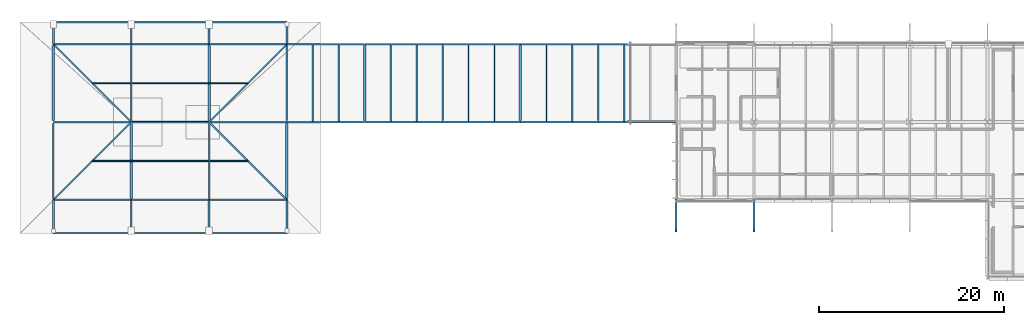
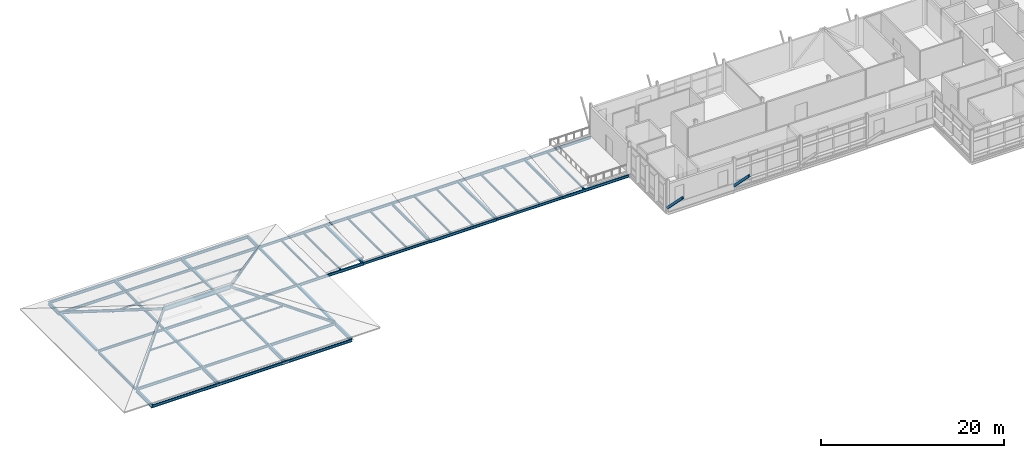
# One storey, part 5 of 35: 55 beams, 8 members.
"""IFC4 building model written with IfcOpenShell, lengths in metres."""

import ifcopenshell
import ifcopenshell.guid

model = None  # the IFC model being written
_history = None  # IfcOwnerHistory: only IFC2X3 demands one
_inside = {}  # id of a spatial element -> (the spatial element, [elements in it])
_under = {}  # id of a project, library or spatial element -> (it, [spatial elements below it])
_declared = {}  # id of a project -> (the project, [libraries it declares])
_typed = {}  # id of a type object -> (the type object, [elements of that type])
_made_of = {}  # id of a material, layer set ... -> (it, [elements and type objects made of it])


def new_model(schema):
    """Start an empty IFC model of exactly this schema.

    Asked for "IFC4X3", IfcOpenShell would pick the latest addendum, in which some entities
    have other attributes; the version numbers below select the first issue.
    IFC2X3 requires an IfcOwnerHistory on every rooted entity: one is made here for all.
    """
    global model, _history
    if schema == "IFC4X3":
        model = ifcopenshell.file(schema_version=(4, 3, 0, 0))
    else:
        model = ifcopenshell.file(schema=schema)
    _inside.clear()
    _under.clear()
    _declared.clear()
    _typed.clear()
    _made_of.clear()
    _history = None
    if model.schema == "IFC2X3":
        org = make("IfcOrganization", Name="unknown")
        user = make(
            "IfcPersonAndOrganization",
            ThePerson=make("IfcPerson", FamilyName="unknown"),
            TheOrganization=org,
        )
        app = make(
            "IfcApplication",
            ApplicationDeveloper=org,
            Version="unknown",
            ApplicationFullName="unknown",
            ApplicationIdentifier="unknown",
        )
        _history = make(
            "IfcOwnerHistory",
            OwningUser=user,
            OwningApplication=app,
            ChangeAction="ADDED",
            CreationDate=0,
        )
    return model


def make(cls, **values):
    """One entity of the class cls with the attributes given. An attribute that is None is left unset."""
    return model.create_entity(
        cls, **{name: value for name, value in values.items() if value is not None}
    )


def rooted(cls, **values):
    """An entity with a GlobalId (a new one), such as an element, a storey or a relation."""
    return make(cls, GlobalId=ifcopenshell.guid.new(), OwnerHistory=_history, **values)


def si_unit(unit_type, name, prefix=None):
    """IfcSIUnit, for example si_unit("LENGTHUNIT", "METRE", prefix="MILLI")."""
    return make("IfcSIUnit", UnitType=unit_type, Prefix=prefix, Name=name)


def assignment(units):
    """IfcUnitAssignment: the units of a project."""
    return None if units is None else make("IfcUnitAssignment", Units=units)


def point(xyz):
    """IfcCartesianPoint."""
    return None if xyz is None else make("IfcCartesianPoint", Coordinates=xyz)


def direction(xyz):
    """IfcDirection."""
    return None if xyz is None else make("IfcDirection", DirectionRatios=xyz)


def frame(location, z_axis=None, x_axis=None):
    """IfcAxis2Placement3D, a coordinate frame: its origin and axes. An axis left out is left unset."""
    return make(
        "IfcAxis2Placement3D",
        Location=point(location),
        Axis=direction(z_axis),
        RefDirection=direction(x_axis),
    )


def frame_2d(location, x_axis=None):
    """IfcAxis2Placement2D, a coordinate frame in the plane: its origin and x axis."""
    return make(
        "IfcAxis2Placement2D", Location=point(location), RefDirection=direction(x_axis)
    )


def origin():
    """The frame at (0, 0, 0) with its axes left unset."""
    return frame((0.0, 0.0, 0.0))


def origin_2d():
    """The frame at (0, 0) in the plane with its x axis left unset."""
    return frame_2d((0.0, 0.0))


def place(relative_to, where):
    """IfcLocalPlacement: puts the frame where relative to a parent placement (None: the world)."""
    return make(
        "IfcLocalPlacement", PlacementRelTo=relative_to, RelativePlacement=where
    )


def context(
    kind, dimensions, precision=None, world=None, true_north=None, identifier=None
):
    """IfcGeometricRepresentationContext, for example the 3D "Model" context."""
    return make(
        "IfcGeometricRepresentationContext",
        ContextIdentifier=identifier,
        ContextType=kind,
        CoordinateSpaceDimension=dimensions,
        Precision=precision,
        WorldCoordinateSystem=world,
        TrueNorth=true_north,
    )


def subcontext(parent, identifier, kind, view, scale=None):
    """IfcGeometricRepresentationSubContext, for example "Body" below "Model"."""
    return make(
        "IfcGeometricRepresentationSubContext",
        ContextIdentifier=identifier,
        ContextType=kind,
        ParentContext=parent,
        TargetScale=scale,
        TargetView=view,
    )


def project(units=None, contexts=None):
    """IfcProject with its units and contexts."""
    return rooted(
        "IfcProject",
        Name="project",
        RepresentationContexts=contexts,
        UnitsInContext=assignment(units),
    )


def spatial(cls, under=None, at=None, **own):
    """A site, building, storey or space (cls), placed at a placement, below another one or the project."""
    s = rooted(cls, ObjectPlacement=at, **own)
    if under is not None:
        _under.setdefault(under.id(), (under, []))[1].append(s)
    return s


def profile(cls, at=None, kind="AREA", **sizes):
    """A parametric profile (cls). Its sizes go by their IFC names, for example OverallWidth=200.0."""
    return make(cls, ProfileType=kind, Position=at, **sizes)


def hollow_rectangle(**sizes):
    """IfcRectangleHollowProfileDef."""
    return profile("IfcRectangleHollowProfileDef", **sizes)


def i_section(**sizes):
    """IfcIShapeProfileDef."""
    return profile("IfcIShapeProfileDef", **sizes)


def extrude(swept, where, along, depth):
    """IfcExtrudedAreaSolid: the profile swept, set in the frame where, extruded along a direction by depth."""
    return make(
        "IfcExtrudedAreaSolid",
        SweptArea=swept,
        Position=where,
        ExtrudedDirection=direction(along),
        Depth=depth,
    )


def shape(context_of_items, identifier, shape_type, items):
    """IfcShapeRepresentation: the items that make up one representation, for example the "Body"."""
    return make(
        "IfcShapeRepresentation",
        ContextOfItems=context_of_items,
        RepresentationIdentifier=identifier,
        RepresentationType=shape_type,
        Items=items,
    )


def material(Name=None, Category=None):
    """IfcMaterial."""
    return make("IfcMaterial", Name=Name, Category=Category)


def material_profile(
    of_material, cross_section, Name=None, Category=None, Priority=None
):
    """IfcMaterialProfile: a cross section and its material."""
    return make(
        "IfcMaterialProfile",
        Name=Name,
        Material=of_material,
        Profile=cross_section,
        Priority=Priority,
        Category=Category,
    )


def profile_set(profiles, Name=None, composite=None):
    """IfcMaterialProfileSet."""
    return make(
        "IfcMaterialProfileSet",
        Name=Name,
        MaterialProfiles=profiles,
        CompositeProfile=composite,
    )


def made_of(thing, what):
    """Note that an element or type object is made of a material, layer set ...; save() writes the relation."""
    if what is not None:
        _made_of.setdefault(what.id(), (what, []))[1].append(thing)
    return thing


def type_object(cls, material=None, **own):
    """A type object (cls), such as IfcWallType, which elements share."""
    return made_of(rooted(cls, **own), material)


def element(
    cls,
    number,
    at=None,
    inside=None,
    cuts=None,
    type_object=None,
    material=None,
    context=None,
    identifier="Body",
    shape_type=None,
    held_by="IfcProductDefinitionShape",
    body=None,
    shapes=None,
    **own,
):
    """One element of the class cls, such as IfcWall. Its Tag is "e" and its number.

    at: its placement. inside: the storey or other place that contains it. cuts: it is an
    opening in that element (IfcRelVoidsElement). A single representation is given by context,
    identifier, shape_type and body (its items); several are given by shapes. held_by: the class
    of the entity that holds the representations. save() writes the other relations.
    """
    e = rooted(cls, Tag="e%d" % number, ObjectPlacement=at, **own)
    if body is not None:
        shapes = [shape(context, identifier, shape_type, body)]
    if shapes is not None:
        e.Representation = make(held_by, Representations=shapes)
    if inside is not None:
        _inside.setdefault(inside.id(), (inside, []))[1].append(e)
    if cuts is not None:
        rooted(
            "IfcRelVoidsElement", RelatingBuildingElement=cuts, RelatedOpeningElement=e
        )
    if type_object is not None:
        _typed.setdefault(type_object.id(), (type_object, []))[1].append(e)
    return made_of(e, material)


def aggregate(whole, parts):
    """IfcRelAggregates: a whole, such as a stair, and the parts it consists of."""
    return rooted("IfcRelAggregates", RelatingObject=whole, RelatedObjects=parts)


def save(model, path):
    """Write the relations noted so far, then the file.

    IfcRelAggregates (storeys below a building ...), IfcRelContainedInSpatialStructure (elements
    in a storey), IfcRelDefinesByType, IfcRelAssociatesMaterial and IfcRelDeclares: one each for
    every whole, place, type object, material and project.
    """
    for whole, parts in _under.values():
        aggregate(whole, parts)
    for where, things in _inside.values():
        rooted(
            "IfcRelContainedInSpatialStructure",
            RelatedElements=things,
            RelatingStructure=where,
        )
    for kind, things in _typed.values():
        rooted("IfcRelDefinesByType", RelatedObjects=things, RelatingType=kind)
    for what, things in _made_of.values():
        rooted("IfcRelAssociatesMaterial", RelatedObjects=things, RelatingMaterial=what)
    for by, libraries in _declared.values():
        rooted("IfcRelDeclares", RelatingContext=by, RelatedDefinitions=libraries)
    model.write(path)


model = new_model("IFC4")

# Units and contexts
model_context = context("Model", 3, precision=1e-05, world=origin(), true_north=direction((0.0, 1.0)))
body_context = subcontext(model_context, "Body", "Model", "MODEL_VIEW")
ifc_project = project(units=[si_unit("LENGTHUNIT", "METRE"), si_unit("AREAUNIT", "SQUARE_METRE"), si_unit("VOLUMEUNIT", "CUBIC_METRE"), si_unit("PLANEANGLEUNIT", "RADIAN"), si_unit("MASSUNIT", "GRAM", prefix="KILO")], contexts=[model_context])

# Site, building, storey
site_placement = place(None, origin())
site = spatial("IfcSite", under=ifc_project, at=site_placement, CompositionType="ELEMENT")
building_placement = place(site_placement, origin())
building = spatial("IfcBuilding", under=site, at=building_placement, Name="Mersafa Astral City Hall", CompositionType="ELEMENT")
storey_placement = place(building_placement, frame((0.0, 0.0, 30.14990234375)))
storey = spatial("IfcBuildingStorey", under=building, at=storey_placement, Name="L07", CompositionType="ELEMENT", Elevation=30.14990234375)

# Beams
ifc_material = material(Name="Steel S355", Category="steel")
ifc_material_profile_1 = material_profile(ifc_material, i_section(OverallWidth=0.199951171875, OverallDepth=0.5, WebThickness=0.01025390625, FlangeThickness=0.01611328125, FilletRadius=0.02099609375, at=origin_2d()), Name="IPE 500")
ifc_profile_set_1 = profile_set([ifc_material_profile_1], Name="Steel S355")
beam_type_1 = type_object("IfcBeamType", Name="STR-BM-IPE500", PredefinedType="BEAM", material=ifc_profile_set_1)
beam_1_placement = place(storey_placement, frame((42.0, 109.199951171875, -0.409912109375), z_axis=(0.0, -1.0, 0.0), x_axis=(1.0, 0.0, 0.0)))
element("IfcBeam", 1, at=beam_1_placement, inside=storey, type_object=beam_type_1, Name="L07 Cantilevered eave beam ROOF-T5-V4N S-5", PredefinedType="BEAM", context=body_context, shape_type="SweptSolid", body=[
    extrude(i_section(OverallWidth=0.199951171875, OverallDepth=0.5, WebThickness=0.01025390625, FlangeThickness=0.01611328125, FilletRadius=0.02099609375, at=origin_2d()), origin(), (0.0, 0.0, 1.0), 3.599853515625),
])
beam_2_placement = place(storey_placement, frame((42.0, 126.0, -0.409912109375), z_axis=(0.0, 1.0, 0.0), x_axis=(-1.0, 0.0, 0.0)))
element("IfcBeam", 2, at=beam_2_placement, inside=storey, type_object=beam_type_1, Name="L07 Cantilevered eave beam ROOF-T5-V4N N-5", PredefinedType="BEAM", context=body_context, shape_type="SweptSolid", body=[
    extrude(i_section(OverallWidth=0.199951171875, OverallDepth=0.5, WebThickness=0.01025390625, FlangeThickness=0.01611328125, FilletRadius=0.02099609375, at=origin_2d()), origin(), (0.0, 0.0, 1.0), 2.39990234375),
])
beam_3_placement = place(storey_placement, frame((50.39990234375, 109.199951171875, -0.409912109375), z_axis=(0.0, -1.0, 0.0), x_axis=(1.0, 0.0, 0.0)))
element("IfcBeam", 3, at=beam_3_placement, inside=storey, type_object=beam_type_1, Name="L07 Cantilevered eave beam ROOF-T5-V4N S-6", PredefinedType="BEAM", context=body_context, shape_type="SweptSolid", body=[
    extrude(i_section(OverallWidth=0.199951171875, OverallDepth=0.5, WebThickness=0.01025390625, FlangeThickness=0.01611328125, FilletRadius=0.02099609375, at=origin_2d()), origin(), (0.0, 0.0, 1.0), 3.599853515625),
])
beam_4_placement = place(storey_placement, frame((50.39990234375, 126.0, -0.409912109375), z_axis=(0.0, 1.0, 0.0), x_axis=(-1.0, 0.0, 0.0)))
element("IfcBeam", 4, at=beam_4_placement, inside=storey, type_object=beam_type_1, Name="L07 Cantilevered eave beam ROOF-T5-V4N N-6", PredefinedType="BEAM", context=body_context, shape_type="SweptSolid", body=[
    extrude(i_section(OverallWidth=0.199951171875, OverallDepth=0.5, WebThickness=0.01025390625, FlangeThickness=0.01611328125, FilletRadius=0.02099609375, at=origin_2d()), origin(), (0.0, 0.0, 1.0), 2.39990234375),
])
beam_5_placement = place(storey_placement, frame((58.800048828125, 109.199951171875, -0.409912109375), z_axis=(0.0, -1.0, 0.0), x_axis=(1.0, 0.0, 0.0)))
element("IfcBeam", 5, at=beam_5_placement, inside=storey, type_object=beam_type_1, Name="L07 Cantilevered eave beam ROOF-T5-V4N S-7", PredefinedType="BEAM", context=body_context, shape_type="SweptSolid", body=[
    extrude(i_section(OverallWidth=0.199951171875, OverallDepth=0.5, WebThickness=0.01025390625, FlangeThickness=0.01611328125, FilletRadius=0.02099609375, at=origin_2d()), origin(), (0.0, 0.0, 1.0), 3.599853515625),
])
beam_6_placement = place(storey_placement, frame((58.800048828125, 126.0, -0.409912109375), z_axis=(0.0, 1.0, 0.0), x_axis=(-1.0, 0.0, 0.0)))
element("IfcBeam", 6, at=beam_6_placement, inside=storey, type_object=beam_type_1, Name="L07 Cantilevered eave beam ROOF-T5-V4N N-7", PredefinedType="BEAM", context=body_context, shape_type="SweptSolid", body=[
    extrude(i_section(OverallWidth=0.199951171875, OverallDepth=0.5, WebThickness=0.01025390625, FlangeThickness=0.01611328125, FilletRadius=0.02099609375, at=origin_2d()), origin(), (0.0, 0.0, 1.0), 2.39990234375),
])
beam_7_placement = place(storey_placement, frame((67.199951171875, 109.199951171875, -0.409912109375), z_axis=(0.0, -1.0, 0.0), x_axis=(1.0, 0.0, 0.0)))
element("IfcBeam", 7, at=beam_7_placement, inside=storey, type_object=beam_type_1, Name="L07 Cantilevered eave beam ROOF-T5-V4N S-8", PredefinedType="BEAM", context=body_context, shape_type="SweptSolid", body=[
    extrude(i_section(OverallWidth=0.199951171875, OverallDepth=0.5, WebThickness=0.01025390625, FlangeThickness=0.01611328125, FilletRadius=0.02099609375, at=origin_2d()), origin(), (0.0, 0.0, 1.0), 3.599853515625),
])
beam_8_placement = place(storey_placement, frame((67.199951171875, 126.0, -0.409912109375), z_axis=(0.0, 1.0, 0.0), x_axis=(-1.0, 0.0, 0.0)))
element("IfcBeam", 8, at=beam_8_placement, inside=storey, type_object=beam_type_1, Name="L07 Cantilevered eave beam ROOF-T5-V4N N-8", PredefinedType="BEAM", context=body_context, shape_type="SweptSolid", body=[
    extrude(i_section(OverallWidth=0.199951171875, OverallDepth=0.5, WebThickness=0.01025390625, FlangeThickness=0.01611328125, FilletRadius=0.02099609375, at=origin_2d()), origin(), (0.0, 0.0, 1.0), 2.39990234375),
])
ifc_material_profile_2 = material_profile(ifc_material, i_section(OverallWidth=0.219970703125, OverallDepth=0.60009765625, WebThickness=0.011962890625, FlangeThickness=0.01904296875, FilletRadius=0.02392578125, at=origin_2d()), Name="IPE 600")
ifc_profile_set_2 = profile_set([ifc_material_profile_2], Name="Steel S355")
beam_type_2 = type_object("IfcBeamType", Name="STR-BM-IPE600", PredefinedType="BEAM", material=ifc_profile_set_2)
beam_9_placement = place(storey_placement, frame((50.39990234375, 117.60009765625, 2.410888671875), z_axis=(1.0, 0.0, 0.0), x_axis=(0.0, 1.0, 0.0)))
element("IfcBeam", 9, at=beam_9_placement, inside=storey, type_object=beam_type_2, Name="L07 Hipped roof ridge beam ROOF-T5-V4N-1", PredefinedType="BEAM", context=body_context, shape_type="SweptSolid", body=[
    extrude(i_section(OverallWidth=0.219970703125, OverallDepth=0.60009765625, WebThickness=0.011962890625, FlangeThickness=0.01904296875, FilletRadius=0.02392578125, at=origin_2d()), origin(), (0.0, 0.0, 1.0), 8.400146484375),
])
ifc_material_profile_3 = material_profile(ifc_material, i_section(OverallWidth=0.135009765625, OverallDepth=0.27001953125, WebThickness=0.006591796875, FlangeThickness=0.01025390625, FilletRadius=0.014892578125, at=origin_2d()), Name="IPE 270")
ifc_profile_set_3 = profile_set([ifc_material_profile_3], Name="Steel S355")
beam_type_3 = type_object("IfcBeamType", Name="STR-BM-JOIST-IPE270", PredefinedType="JOIST", material=ifc_profile_set_3)
for number, where, z_axis, x_axis, name in (
    (10, (70.0, 117.679931640625, -0.3349609375), (0.0, 1.0, 0.0), (-1.0, 0.0, 0.0), "L07 Flat roof secondary joist 1"),
    (11, (72.800048828125, 117.679931640625, -0.3349609375), (0.0, 1.0, 0.0), (-1.0, 0.0, 0.0), "L07 Flat roof secondary joist 2"),
):
    element("IfcBeam", number, at=place(storey_placement, frame(where, z_axis=z_axis, x_axis=x_axis)), inside=storey, type_object=beam_type_3, Name=name, PredefinedType="JOIST", context=body_context, shape_type="SweptSolid", body=[
        extrude(i_section(OverallWidth=0.135009765625, OverallDepth=0.27001953125, WebThickness=0.006591796875, FlangeThickness=0.01025390625, FilletRadius=0.014892578125, at=origin_2d()), origin(), (0.0, 0.0, 1.0), 8.2451171875),
    ])
for number, where, z_axis, x_axis, name in (
    (12, (78.39990234375, 117.675048828125, -0.3349609375), (0.0, 1.0, 0.0), (-1.0, 0.0, 0.0), "L07 Flat roof secondary joist 3"),
    (13, (81.199951171875, 117.675048828125, -0.3349609375), (0.0, 1.0, 0.0), (-1.0, 0.0, 0.0), "L07 Flat roof secondary joist 4"),
):
    element("IfcBeam", number, at=place(storey_placement, frame(where, z_axis=z_axis, x_axis=x_axis)), inside=storey, type_object=beam_type_3, Name=name, PredefinedType="JOIST", context=body_context, shape_type="SweptSolid", body=[
        extrude(i_section(OverallWidth=0.135009765625, OverallDepth=0.27001953125, WebThickness=0.006591796875, FlangeThickness=0.01025390625, FilletRadius=0.014892578125, at=origin_2d()), origin(), (0.0, 0.0, 1.0), 8.244873046875),
    ])
for number, where, z_axis, x_axis, name in (
    (14, (86.800048828125, 117.679931640625, -0.3349609375), (0.0, 1.0, 0.0), (-1.0, 0.0, 0.0), "L07 Flat roof secondary joist 5"),
    (15, (89.60009765625, 117.679931640625, -0.3349609375), (0.0, 1.0, 0.0), (-1.0, 0.0, 0.0), "L07 Flat roof secondary joist 6"),
):
    element("IfcBeam", number, at=place(storey_placement, frame(where, z_axis=z_axis, x_axis=x_axis)), inside=storey, type_object=beam_type_3, Name=name, PredefinedType="JOIST", context=body_context, shape_type="SweptSolid", body=[
        extrude(i_section(OverallWidth=0.135009765625, OverallDepth=0.27001953125, WebThickness=0.006591796875, FlangeThickness=0.01025390625, FilletRadius=0.014892578125, at=origin_2d()), origin(), (0.0, 0.0, 1.0), 8.2451171875),
    ])
for number, where, z_axis, x_axis, name in (
    (16, (95.199951171875, 117.675048828125, -0.3349609375), (0.0, 1.0, 0.0), (-1.0, 0.0, 0.0), "L07 Flat roof secondary joist 7"),
    (17, (98.0, 117.675048828125, -0.3349609375), (0.0, 1.0, 0.0), (-1.0, 0.0, 0.0), "L07 Flat roof secondary joist 8"),
):
    element("IfcBeam", number, at=place(storey_placement, frame(where, z_axis=z_axis, x_axis=x_axis)), inside=storey, type_object=beam_type_3, Name=name, PredefinedType="JOIST", context=body_context, shape_type="SweptSolid", body=[
        extrude(i_section(OverallWidth=0.135009765625, OverallDepth=0.27001953125, WebThickness=0.006591796875, FlangeThickness=0.01025390625, FilletRadius=0.014892578125, at=origin_2d()), origin(), (0.0, 0.0, 1.0), 8.244873046875),
    ])
beam_10_placement = place(storey_placement, frame((103.60009765625, 117.679931640625, -0.3349609375), z_axis=(0.0, 1.0, 0.0), x_axis=(-1.0, 0.0, 0.0)))
element("IfcBeam", 18, at=beam_10_placement, inside=storey, type_object=beam_type_3, Name="L07 Flat roof secondary joist 9", PredefinedType="JOIST", context=body_context, shape_type="SweptSolid", body=[
    extrude(i_section(OverallWidth=0.135009765625, OverallDepth=0.27001953125, WebThickness=0.006591796875, FlangeThickness=0.01025390625, FilletRadius=0.014892578125, at=origin_2d()), origin(), (0.0, 0.0, 1.0), 8.2451171875),
])
ifc_material_profile_4 = material_profile(ifc_material, i_section(OverallWidth=0.280029296875, OverallDepth=0.27001953125, WebThickness=0.008056640625, FlangeThickness=0.012939453125, FilletRadius=0.02392578125, at=origin_2d()), Name="HEA 280")
ifc_profile_set_4 = profile_set([ifc_material_profile_4], Name="Steel S355")
beam_type_4 = type_object("IfcBeamType", Name="STR-BM-SPANDREL-HEA280", PredefinedType="SPANDREL", material=ifc_profile_set_4)
beam_11_placement = place(storey_placement, frame((42.0, 117.7451171875, -0.309814453125), z_axis=(0.0, 1.0, 0.0), x_axis=(-1.0, 0.0, 0.0)))
element("IfcBeam", 19, at=beam_11_placement, inside=storey, type_object=beam_type_4, Name="L07 Primary girder Y 5-14", PredefinedType="SPANDREL", context=body_context, shape_type="SweptSolid", body=[
    extrude(i_section(OverallWidth=0.280029296875, OverallDepth=0.27001953125, WebThickness=0.008056640625, FlangeThickness=0.012939453125, FilletRadius=0.02392578125, at=origin_2d()), origin(), (0.0, 0.0, 1.0), 8.10986328125),
])
beam_12_placement = place(storey_placement, frame((50.39990234375, 109.344970703125, -0.309814453125), z_axis=(0.0, 1.0, 0.0), x_axis=(-1.0, 0.0, 0.0)))
element("IfcBeam", 20, at=beam_12_placement, inside=storey, type_object=beam_type_4, Name="L07 Primary girder Y 6-13", PredefinedType="SPANDREL", context=body_context, shape_type="SweptSolid", body=[
    extrude(i_section(OverallWidth=0.280029296875, OverallDepth=0.27001953125, WebThickness=0.008056640625, FlangeThickness=0.012939453125, FilletRadius=0.02392578125, at=origin_2d()), origin(), (0.0, 0.0, 1.0), 8.110107421875),
])
beam_13_placement = place(storey_placement, frame((58.800048828125, 117.7451171875, -0.309814453125), z_axis=(0.0, 1.0, 0.0), x_axis=(-1.0, 0.0, 0.0)))
element("IfcBeam", 21, at=beam_13_placement, inside=storey, type_object=beam_type_4, Name="L07 Primary girder Y 7-14", PredefinedType="SPANDREL", context=body_context, shape_type="SweptSolid", body=[
    extrude(i_section(OverallWidth=0.280029296875, OverallDepth=0.27001953125, WebThickness=0.008056640625, FlangeThickness=0.012939453125, FilletRadius=0.02392578125, at=origin_2d()), origin(), (0.0, 0.0, 1.0), 8.10986328125),
])
beam_14_placement = place(storey_placement, frame((67.199951171875, 109.344970703125, -0.309814453125), z_axis=(0.0, 1.0, 0.0), x_axis=(-1.0, 0.0, 0.0)))
element("IfcBeam", 22, at=beam_14_placement, inside=storey, type_object=beam_type_4, Name="L07 Primary girder Y 8-13", PredefinedType="SPANDREL", context=body_context, shape_type="SweptSolid", body=[
    extrude(i_section(OverallWidth=0.280029296875, OverallDepth=0.27001953125, WebThickness=0.008056640625, FlangeThickness=0.012939453125, FilletRadius=0.02392578125, at=origin_2d()), origin(), (0.0, 0.0, 1.0), 8.110107421875),
])
for number, where, z_axis, x_axis, name in (
    (23, (75.60009765625, 117.7451171875, -0.3349609375), (0.0, 1.0, 0.0), (-1.0, 0.0, 0.0), "L07 Primary girder Y 9-14"),
    (24, (92.39990234375, 117.7451171875, -0.3349609375), (0.0, 1.0, 0.0), (-1.0, 0.0, 0.0), "L07 Primary girder Y 11-14"),
):
    element("IfcBeam", number, at=place(storey_placement, frame(where, z_axis=z_axis, x_axis=x_axis)), inside=storey, type_object=beam_type_4, Name=name, PredefinedType="SPANDREL", context=body_context, shape_type="SweptSolid", body=[
        extrude(i_section(OverallWidth=0.280029296875, OverallDepth=0.27001953125, WebThickness=0.008056640625, FlangeThickness=0.012939453125, FilletRadius=0.02392578125, at=origin_2d()), origin(), (0.0, 0.0, 1.0), 8.10986328125),
    ])
ifc_material_profile_5 = material_profile(ifc_material, i_section(OverallWidth=0.159912109375, OverallDepth=0.330078125, WebThickness=0.007568359375, FlangeThickness=0.011474609375, FilletRadius=0.01806640625, at=origin_2d()), Name="IPE 330")
ifc_profile_set_5 = profile_set([ifc_material_profile_5], Name="Steel S355")
beam_type_5 = type_object("IfcBeamType", Name="STR-BM-SPANDREL-IPE330", PredefinedType="SPANDREL", material=ifc_profile_set_5)
for number, where, z_axis, x_axis, name in (
    (25, (50.403076171875, 109.199951171875, -0.33984375), (1.0, 0.0, 0.0), (0.0, 1.0, 0.0), "L07 Primary girder X 6-13"),
    (26, (42.0029296875, 117.60009765625, -0.33984375), (1.0, 0.0, 0.0), (0.0, 1.0, 0.0), "L07 Primary girder X 5-14"),
    (27, (58.802978515625, 117.60009765625, -0.33984375), (1.0, 0.0, 0.0), (0.0, 1.0, 0.0), "L07 Primary girder X 7-14"),
    (28, (75.60302734375, 117.60009765625, -0.364990234375), (1.0, 0.0, 0.0), (0.0, 1.0, 0.0), "L07 Primary girder X 9-14"),
    (29, (92.403076171875, 117.60009765625, -0.364990234375), (1.0, 0.0, 0.0), (0.0, 1.0, 0.0), "L07 Primary girder X 11-14"),
    (30, (50.403076171875, 126.0, -0.33984375), (1.0, 0.0, 0.0), (0.0, 1.0, 0.0), "L07 Primary girder X 6-15"),
    (31, (67.202880859375, 126.0, -0.364990234375), (1.0, 0.0, 0.0), (0.0, 1.0, 0.0), "L07 Primary girder X 8-15"),
    (32, (84.0029296875, 126.0, -0.364990234375), (1.0, 0.0, 0.0), (0.0, 1.0, 0.0), "L07 Primary girder X 10-15"),
    (33, (100.802978515625, 126.0, -0.364990234375), (1.0, 0.0, 0.0), (0.0, 1.0, 0.0), "L07 Primary girder X 12-15"),
):
    element("IfcBeam", number, at=place(storey_placement, frame(where, z_axis=z_axis, x_axis=x_axis)), inside=storey, type_object=beam_type_5, Name=name, PredefinedType="SPANDREL", context=body_context, shape_type="SweptSolid", body=[
        extrude(i_section(OverallWidth=0.159912109375, OverallDepth=0.330078125, WebThickness=0.007568359375, FlangeThickness=0.011474609375, FilletRadius=0.01806640625, at=origin_2d()), origin(), (0.0, 0.0, 1.0), 8.39404296875),
    ])
ifc_material_profile_6 = material_profile(ifc_material, i_section(OverallWidth=0.169921875, OverallDepth=0.360107421875, WebThickness=0.008056640625, FlangeThickness=0.0126953125, FilletRadius=0.01806640625, at=origin_2d()), Name="IPE 360")
ifc_profile_set_6 = profile_set([ifc_material_profile_6], Name="Steel S355")
beam_type_6 = type_object("IfcBeamType", Name="STR-BM-SPANDREL-IPE360", PredefinedType="SPANDREL", material=ifc_profile_set_6)
for number, where, z_axis, x_axis, name in (
    (34, (42.0029296875, 109.199951171875, -0.35498046875), (1.0, 0.0, 0.0), (0.0, 1.0, 0.0), "L07 Primary girder X 5-13"),
    (35, (58.802978515625, 109.199951171875, -0.35498046875), (1.0, 0.0, 0.0), (0.0, 1.0, 0.0), "L07 Primary girder X 7-13"),
    (36, (50.403076171875, 117.60009765625, -0.35498046875), (1.0, 0.0, 0.0), (0.0, 1.0, 0.0), "L07 Primary girder X 6-14"),
    (37, (67.202880859375, 117.60009765625, -0.3798828125), (1.0, 0.0, 0.0), (0.0, 1.0, 0.0), "L07 Primary girder X 8-14"),
    (38, (84.0029296875, 117.60009765625, -0.3798828125), (1.0, 0.0, 0.0), (0.0, 1.0, 0.0), "L07 Primary girder X 10-14"),
    (39, (100.802978515625, 117.60009765625, -0.3798828125), (1.0, 0.0, 0.0), (0.0, 1.0, 0.0), "L07 Primary girder X 12-14"),
    (40, (42.0029296875, 126.0, -0.35498046875), (1.0, 0.0, 0.0), (0.0, 1.0, 0.0), "L07 Primary girder X 5-15"),
    (41, (58.802978515625, 126.0, -0.35498046875), (1.0, 0.0, 0.0), (0.0, 1.0, 0.0), "L07 Primary girder X 7-15"),
    (42, (75.60302734375, 126.0, -0.3798828125), (1.0, 0.0, 0.0), (0.0, 1.0, 0.0), "L07 Primary girder X 9-15"),
    (43, (92.403076171875, 126.0, -0.3798828125), (1.0, 0.0, 0.0), (0.0, 1.0, 0.0), "L07 Primary girder X 11-15"),
):
    element("IfcBeam", number, at=place(storey_placement, frame(where, z_axis=z_axis, x_axis=x_axis)), inside=storey, type_object=beam_type_6, Name=name, PredefinedType="SPANDREL", context=body_context, shape_type="SweptSolid", body=[
        extrude(i_section(OverallWidth=0.169921875, OverallDepth=0.360107421875, WebThickness=0.008056640625, FlangeThickness=0.0126953125, FilletRadius=0.01806640625, at=origin_2d()), origin(), (0.0, 0.0, 1.0), 8.39404296875),
    ])
beam_15_placement = place(storey_placement, frame((42.0, 109.344970703125, -0.35498046875), z_axis=(0.0, 1.0, 0.0), x_axis=(-1.0, 0.0, 0.0)))
element("IfcBeam", 44, at=beam_15_placement, inside=storey, type_object=beam_type_6, Name="L07 Primary girder Y 5-13", PredefinedType="SPANDREL", context=body_context, shape_type="SweptSolid", body=[
    extrude(i_section(OverallWidth=0.169921875, OverallDepth=0.360107421875, WebThickness=0.008056640625, FlangeThickness=0.0126953125, FilletRadius=0.01806640625, at=origin_2d()), origin(), (0.0, 0.0, 1.0), 8.110107421875),
])
beam_16_placement = place(storey_placement, frame((50.39990234375, 117.7451171875, -0.35498046875), z_axis=(0.0, 1.0, 0.0), x_axis=(-1.0, 0.0, 0.0)))
element("IfcBeam", 45, at=beam_16_placement, inside=storey, type_object=beam_type_6, Name="L07 Primary girder Y 6-14", PredefinedType="SPANDREL", context=body_context, shape_type="SweptSolid", body=[
    extrude(i_section(OverallWidth=0.169921875, OverallDepth=0.360107421875, WebThickness=0.008056640625, FlangeThickness=0.0126953125, FilletRadius=0.01806640625, at=origin_2d()), origin(), (0.0, 0.0, 1.0), 8.10986328125),
])
beam_17_placement = place(storey_placement, frame((58.800048828125, 109.344970703125, -0.35498046875), z_axis=(0.0, 1.0, 0.0), x_axis=(-1.0, 0.0, 0.0)))
element("IfcBeam", 46, at=beam_17_placement, inside=storey, type_object=beam_type_6, Name="L07 Primary girder Y 7-13", PredefinedType="SPANDREL", context=body_context, shape_type="SweptSolid", body=[
    extrude(i_section(OverallWidth=0.169921875, OverallDepth=0.360107421875, WebThickness=0.008056640625, FlangeThickness=0.0126953125, FilletRadius=0.01806640625, at=origin_2d()), origin(), (0.0, 0.0, 1.0), 8.110107421875),
])
for number, where, z_axis, x_axis, name in (
    (47, (67.199951171875, 117.7451171875, -0.3798828125), (0.0, 1.0, 0.0), (-1.0, 0.0, 0.0), "L07 Primary girder Y 8-14"),
    (48, (84.0, 117.7451171875, -0.3798828125), (0.0, 1.0, 0.0), (-1.0, 0.0, 0.0), "L07 Primary girder Y 10-14"),
    (49, (100.800048828125, 117.7451171875, -0.3798828125), (0.0, 1.0, 0.0), (-1.0, 0.0, 0.0), "L07 Primary girder Y 12-14"),
):
    element("IfcBeam", number, at=place(storey_placement, frame(where, z_axis=z_axis, x_axis=x_axis)), inside=storey, type_object=beam_type_6, Name=name, PredefinedType="SPANDREL", context=body_context, shape_type="SweptSolid", body=[
        extrude(i_section(OverallWidth=0.169921875, OverallDepth=0.360107421875, WebThickness=0.008056640625, FlangeThickness=0.0126953125, FilletRadius=0.01806640625, at=origin_2d()), origin(), (0.0, 0.0, 1.0), 8.10986328125),
    ])
beam_18_placement = place(storey_placement, frame((42.0, 105.60009765625, -0.409912109375), z_axis=(1.0, 0.0, 0.0), x_axis=(0.0, 1.0, 0.0)))
element("IfcBeam", 50, at=beam_18_placement, inside=storey, type_object=beam_type_6, Name="L07 Hipped roof eave fascia beam ROOF-T5-V4N S-1", PredefinedType="SPANDREL", context=body_context, shape_type="SweptSolid", body=[
    extrude(i_section(OverallWidth=0.169921875, OverallDepth=0.360107421875, WebThickness=0.008056640625, FlangeThickness=0.0126953125, FilletRadius=0.01806640625, at=origin_2d()), origin(), (0.0, 0.0, 1.0), 8.39990234375),
])
beam_19_placement = place(storey_placement, frame((50.39990234375, 105.60009765625, -0.409912109375), z_axis=(1.0, 0.0, 0.0), x_axis=(0.0, 1.0, 0.0)))
element("IfcBeam", 51, at=beam_19_placement, inside=storey, type_object=beam_type_6, Name="L07 Hipped roof eave fascia beam ROOF-T5-V4N S-2", PredefinedType="SPANDREL", context=body_context, shape_type="SweptSolid", body=[
    extrude(i_section(OverallWidth=0.169921875, OverallDepth=0.360107421875, WebThickness=0.008056640625, FlangeThickness=0.0126953125, FilletRadius=0.01806640625, at=origin_2d()), origin(), (0.0, 0.0, 1.0), 8.400146484375),
])
for number, where, z_axis, x_axis, name in (
    (52, (58.800048828125, 105.60009765625, -0.409912109375), (1.0, 0.0, 0.0), (0.0, 1.0, 0.0), "L07 Hipped roof eave fascia beam ROOF-T5-V4N S-3"),
    (53, (42.0, 128.39990234375, -0.409912109375), (1.0, 0.0, 0.0), (0.0, 1.0, 0.0), "L07 Hipped roof eave fascia beam ROOF-T5-V4N N-1"),
):
    element("IfcBeam", number, at=place(storey_placement, frame(where, z_axis=z_axis, x_axis=x_axis)), inside=storey, type_object=beam_type_6, Name=name, PredefinedType="SPANDREL", context=body_context, shape_type="SweptSolid", body=[
        extrude(i_section(OverallWidth=0.169921875, OverallDepth=0.360107421875, WebThickness=0.008056640625, FlangeThickness=0.0126953125, FilletRadius=0.01806640625, at=origin_2d()), origin(), (0.0, 0.0, 1.0), 8.39990234375),
    ])
beam_20_placement = place(storey_placement, frame((50.39990234375, 128.39990234375, -0.409912109375), z_axis=(1.0, 0.0, 0.0), x_axis=(0.0, 1.0, 0.0)))
element("IfcBeam", 54, at=beam_20_placement, inside=storey, type_object=beam_type_6, Name="L07 Hipped roof eave fascia beam ROOF-T5-V4N N-2", PredefinedType="SPANDREL", context=body_context, shape_type="SweptSolid", body=[
    extrude(i_section(OverallWidth=0.169921875, OverallDepth=0.360107421875, WebThickness=0.008056640625, FlangeThickness=0.0126953125, FilletRadius=0.01806640625, at=origin_2d()), origin(), (0.0, 0.0, 1.0), 8.400146484375),
])
beam_21_placement = place(storey_placement, frame((58.800048828125, 128.39990234375, -0.409912109375), z_axis=(1.0, 0.0, 0.0), x_axis=(0.0, 1.0, 0.0)))
element("IfcBeam", 55, at=beam_21_placement, inside=storey, type_object=beam_type_6, Name="L07 Hipped roof eave fascia beam ROOF-T5-V4N N-3", PredefinedType="SPANDREL", context=body_context, shape_type="SweptSolid", body=[
    extrude(i_section(OverallWidth=0.169921875, OverallDepth=0.360107421875, WebThickness=0.008056640625, FlangeThickness=0.0126953125, FilletRadius=0.01806640625, at=origin_2d()), origin(), (0.0, 0.0, 1.0), 8.39990234375),
])

# Members
ifc_material_profile_7 = material_profile(ifc_material, i_section(OverallWidth=0.10009765625, OverallDepth=0.199951171875, WebThickness=0.005615234375, FlangeThickness=0.008544921875, FilletRadius=0.011962890625, at=origin_2d()), Name="IPE 200")
ifc_profile_set_7 = profile_set([ifc_material_profile_7], Name="Steel S355")
member_type_1 = type_object("IfcMemberType", Name="STR-MBR-PURLIN-IPE200", PredefinedType="PURLIN", material=ifc_profile_set_7)
member_1_placement = place(storey_placement, frame((46.199951171875, 121.800048828125, 0.880615234375), z_axis=(1.0, 0.0, 0.0), x_axis=(0.0, 1.0, 0.0)))
element("IfcMember", 56, at=member_1_placement, inside=storey, type_object=member_type_1, Name="L07 Terracotta roof purlin ROOF-T5-V4N-N", PredefinedType="PURLIN", context=body_context, shape_type="SweptSolid", body=[
    extrude(i_section(OverallWidth=0.10009765625, OverallDepth=0.199951171875, WebThickness=0.005615234375, FlangeThickness=0.008544921875, FilletRadius=0.011962890625, at=origin_2d()), origin(), (0.0, 0.0, 1.0), 16.800048828125),
])
ifc_material_profile_8 = material_profile(ifc_material, i_section(OverallWidth=0.110107421875, OverallDepth=0.219970703125, WebThickness=0.005859375, FlangeThickness=0.00927734375, FilletRadius=0.011962890625, at=origin_2d()), Name="IPE 220")
ifc_profile_set_8 = profile_set([ifc_material_profile_8], Name="Steel S355")
member_type_2 = type_object("IfcMemberType", Name="STR-MBR-PURLIN-IPE220", PredefinedType="PURLIN", material=ifc_profile_set_8)
member_2_placement = place(storey_placement, frame((46.199951171875, 113.39990234375, 0.880615234375), z_axis=(1.0, 0.0, 0.0), x_axis=(0.0, 1.0, 0.0)))
element("IfcMember", 57, at=member_2_placement, inside=storey, type_object=member_type_2, Name="L07 Terracotta roof purlin ROOF-T5-V4N-S", PredefinedType="PURLIN", context=body_context, shape_type="SweptSolid", body=[
    extrude(i_section(OverallWidth=0.110107421875, OverallDepth=0.219970703125, WebThickness=0.005859375, FlangeThickness=0.00927734375, FilletRadius=0.011962890625, at=origin_2d()), origin(), (0.0, 0.0, 1.0), 16.800048828125),
])
ifc_material_profile_9 = material_profile(ifc_material, i_section(OverallWidth=0.159912109375, OverallDepth=0.330078125, WebThickness=0.007568359375, FlangeThickness=0.011474609375, FilletRadius=0.01806640625, at=origin_2d()), Name="IPE 330")
ifc_profile_set_9 = profile_set([ifc_material_profile_9], Name="Steel S355")
member_type_3 = type_object("IfcMemberType", Name="STR-MBR-RAFTER-IPE330", PredefinedType="RAFTER", material=ifc_profile_set_9)
for number, where, z_axis, x_axis, name in (
    (58, (42.0, 109.199951171875, -0.25), (0.68999898497, 0.690019039582, 0.218575217613), (-0.707117056885, 0.707096505339, 0.0), "L07 Hipped roof corner hip rafter ROOF-T5-V4N-1"),
    (59, (67.199951171875, 109.199951171875, -0.25), (-0.68999898497, 0.690019039582, 0.218575217613), (-0.707117056885, -0.707096505339, 0.0), "L07 Hipped roof corner hip rafter ROOF-T5-V4N-2"),
):
    element("IfcMember", number, at=place(storey_placement, frame(where, z_axis=z_axis, x_axis=x_axis)), inside=storey, type_object=member_type_3, Name=name, PredefinedType="RAFTER", context=body_context, shape_type="SweptSolid", body=[
        extrude(i_section(OverallWidth=0.159912109375, OverallDepth=0.330078125, WebThickness=0.007568359375, FlangeThickness=0.011474609375, FilletRadius=0.01806640625, at=origin_2d()), origin(), (0.0, 0.0, 1.0), 12.173828125),
    ])
for number, where, z_axis, x_axis, name in (
    (60, (67.199951171875, 126.0, -0.25), (-0.69000853328, -0.69000853328, 0.21857824229), (0.707106781187, -0.707106781187, 0.0), "L07 Hipped roof corner hip rafter ROOF-T5-V4N-3"),
    (61, (42.0, 126.0, -0.25), (0.69000853328, -0.69000853328, 0.21857824229), (0.707106781187, 0.707106781187, 0.0), "L07 Hipped roof corner hip rafter ROOF-T5-V4N-4"),
):
    element("IfcMember", number, at=place(storey_placement, frame(where, z_axis=z_axis, x_axis=x_axis)), inside=storey, type_object=member_type_3, Name=name, PredefinedType="RAFTER", context=body_context, shape_type="SweptSolid", body=[
        extrude(i_section(OverallWidth=0.159912109375, OverallDepth=0.330078125, WebThickness=0.007568359375, FlangeThickness=0.011474609375, FilletRadius=0.01806640625, at=origin_2d()), origin(), (0.0, 0.0, 1.0), 12.173583984375),
    ])
ifc_material_profile_10 = material_profile(ifc_material, hollow_rectangle(XDim=0.199951171875, YDim=0.300048828125, WallThickness=0.012451171875, at=origin_2d()), Name="RHS 200x300x12.5")
ifc_profile_set_10 = profile_set([ifc_material_profile_10], Name="Steel S355")
member_type_4 = type_object("IfcMemberType", Name="STR-MBR-STRUT-RHS200X300", PredefinedType="BRACE", material=ifc_profile_set_10)
for number, where, z_axis, x_axis, name in (
    (62, (109.199951171875, 109.199951171875, 0.400146484375), (0.0, -0.702893642121, 0.711294965444), (1.0, 0.0, 0.0), "L07 Raked cosmic eave strut ROOF-T6-V6 S-13"),
    (63, (117.60009765625, 109.199951171875, 0.400146484375), (0.0, -0.702893642121, 0.711294965444), (1.0, 0.0, 0.0), "L07 Raked cosmic eave strut ROOF-T6-V6 S-14"),
):
    element("IfcMember", number, at=place(storey_placement, frame(where, z_axis=z_axis, x_axis=x_axis)), inside=storey, type_object=member_type_4, Name=name, PredefinedType="BRACE", context=body_context, shape_type="SweptSolid", body=[
        extrude(hollow_rectangle(XDim=0.199951171875, YDim=0.300048828125, WallThickness=0.012451171875, at=origin_2d()), origin(), (0.0, 0.0, 1.0), 4.765869140625),
    ])

save(model, "model.ifc")
